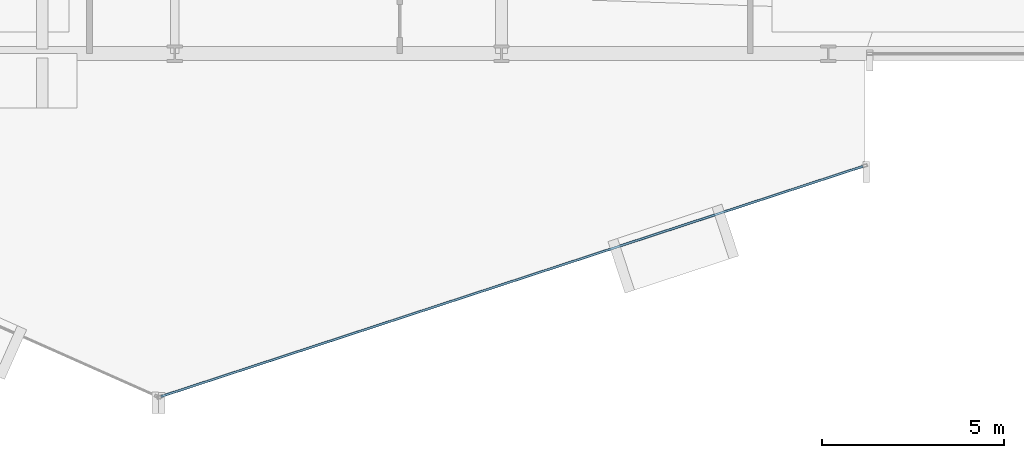
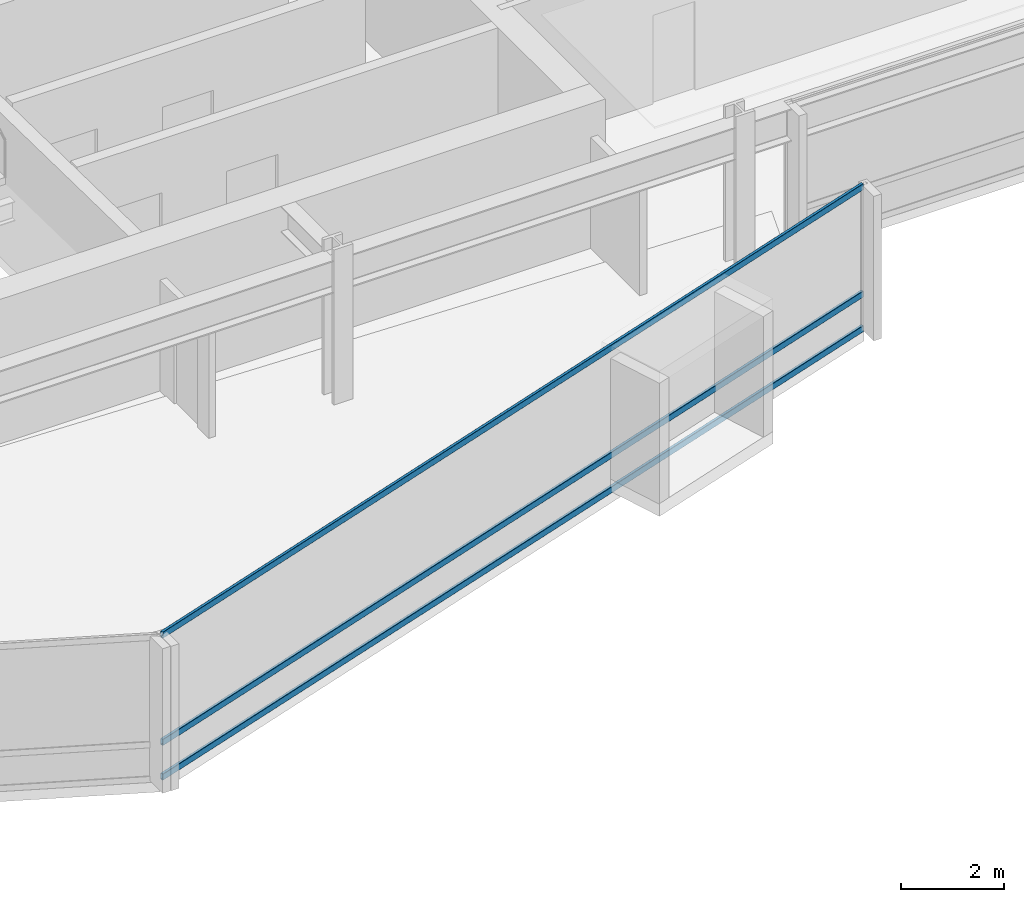
# One storey, part 9 of 34: 3 members, 1 element without a shape of its own.
"""IFC4 building model written with IfcOpenShell, lengths in metres."""

from ifc_helpers import new_model, si_unit, direction, frame, origin, origin_2d, place, context, subcontext, project, spatial, hollow_rectangle, extrude, material, layer, layer_set, material_profile, profile_set, type_object, element, aggregate, save


model = new_model("IFC4")

# Units and contexts
model_context = context("Model", 3, precision=1e-05, world=origin(), true_north=direction((0.0, 1.0)))
body_context = subcontext(model_context, "Body", "Model", "MODEL_VIEW")
ifc_project = project(units=[si_unit("LENGTHUNIT", "METRE"), si_unit("AREAUNIT", "SQUARE_METRE"), si_unit("VOLUMEUNIT", "CUBIC_METRE"), si_unit("PLANEANGLEUNIT", "RADIAN"), si_unit("MASSUNIT", "GRAM", prefix="KILO")], contexts=[model_context])

# Site, building, storey
site_placement = place(None, origin())
site = spatial("IfcSite", under=ifc_project, at=site_placement, CompositionType="ELEMENT")
building_placement = place(site_placement, origin())
building = spatial("IfcBuilding", under=site, at=building_placement, Name="Solvaryn Broadcast Tower", CompositionType="ELEMENT")
storey_placement = place(building_placement, frame((0.0, 0.0, 76.699951171875)))
storey = spatial("IfcBuildingStorey", under=building, at=storey_placement, Name="L18", CompositionType="ELEMENT", Elevation=76.699951171875)

# Curtain wall, members
ifc_material_1 = material(Name="Aluminium and Terracotta Unitised Curtain Wall", Category="masonry")
ifc_layer = layer(ifc_material_1, 0.199951171875)
ifc_layer_set = layer_set([ifc_layer], Name="CW-SYS2-LOWMID")
curtain_wall_type = type_object("IfcCurtainWallType", Name="CW-SYS2-LOWMID", PredefinedType="NOTDEFINED", material=ifc_layer_set)
curtain_wall_placement = place(storey_placement, origin())
curtain_wall = element("IfcCurtainWall", 1, at=curtain_wall_placement, inside=storey, type_object=curtain_wall_type, Name="L18 Curtain Wall DR4", PredefinedType="NOTDEFINED")
ifc_material_2 = material(Name="Anodised Aluminium 6063-T6", Category="aluminium")
ifc_material_profile = material_profile(ifc_material_2, hollow_rectangle(XDim=0.06494140625, YDim=0.14990234375, WallThickness=0.00390625, InnerFilletRadius=0.00390625, OuterFilletRadius=0.008056640625, at=origin_2d()))
ifc_profile_set = profile_set([ifc_material_profile], Name="Anodised Aluminium 6063-T6")
member_type = type_object("IfcMemberType", Name="CW-TRN-150", PredefinedType="USERDEFINED", material=ifc_profile_set)
member_1_placement = place(storey_placement, frame((26.616943359375, -0.4453125, 0.030029296875), z_axis=(0.950216792475, 0.311589549406, 0.0), x_axis=(-0.311589549406, 0.950216792475, 0.0)))
member_1 = element("IfcMember", 2, at=member_1_placement, type_object=member_type, Name="CWS2 transom 1.1", ObjectType="TRANSOM", PredefinedType="USERDEFINED", context=body_context, shape_type="SweptSolid", body=[
    extrude(hollow_rectangle(XDim=0.06494140625, YDim=0.14990234375, WallThickness=0.00390625, InnerFilletRadius=0.00390625, OuterFilletRadius=0.008056640625, at=origin_2d()), origin(), (0.0, 0.0, 1.0), 20.35546875),
])
member_2_placement = place(storey_placement, frame((26.616943359375, -0.4453125, 0.85009765625), z_axis=(0.950216792475, 0.311589549406, 0.0), x_axis=(-0.311589549406, 0.950216792475, 0.0)))
member_2 = element("IfcMember", 3, at=member_2_placement, type_object=member_type, Name="CWS2 transom 1.2", ObjectType="TRANSOM", PredefinedType="USERDEFINED", context=body_context, shape_type="SweptSolid", body=[
    extrude(hollow_rectangle(XDim=0.06494140625, YDim=0.14990234375, WallThickness=0.00390625, InnerFilletRadius=0.00390625, OuterFilletRadius=0.008056640625, at=origin_2d()), origin(), (0.0, 0.0, 1.0), 20.35546875),
])
member_3_placement = place(storey_placement, frame((26.616943359375, -0.4453125, 3.39013671875), z_axis=(0.950216792475, 0.311589549406, 0.0), x_axis=(-0.311589549406, 0.950216792475, 0.0)))
member_3 = element("IfcMember", 4, at=member_3_placement, type_object=member_type, Name="CWS2 transom 1.3", ObjectType="TRANSOM", PredefinedType="USERDEFINED", context=body_context, shape_type="SweptSolid", body=[
    extrude(hollow_rectangle(XDim=0.06494140625, YDim=0.14990234375, WallThickness=0.00390625, InnerFilletRadius=0.00390625, OuterFilletRadius=0.008056640625, at=origin_2d()), origin(), (0.0, 0.0, 1.0), 20.35546875),
])
aggregate(curtain_wall, [member_1, member_2, member_3])

save(model, "model.ifc")
